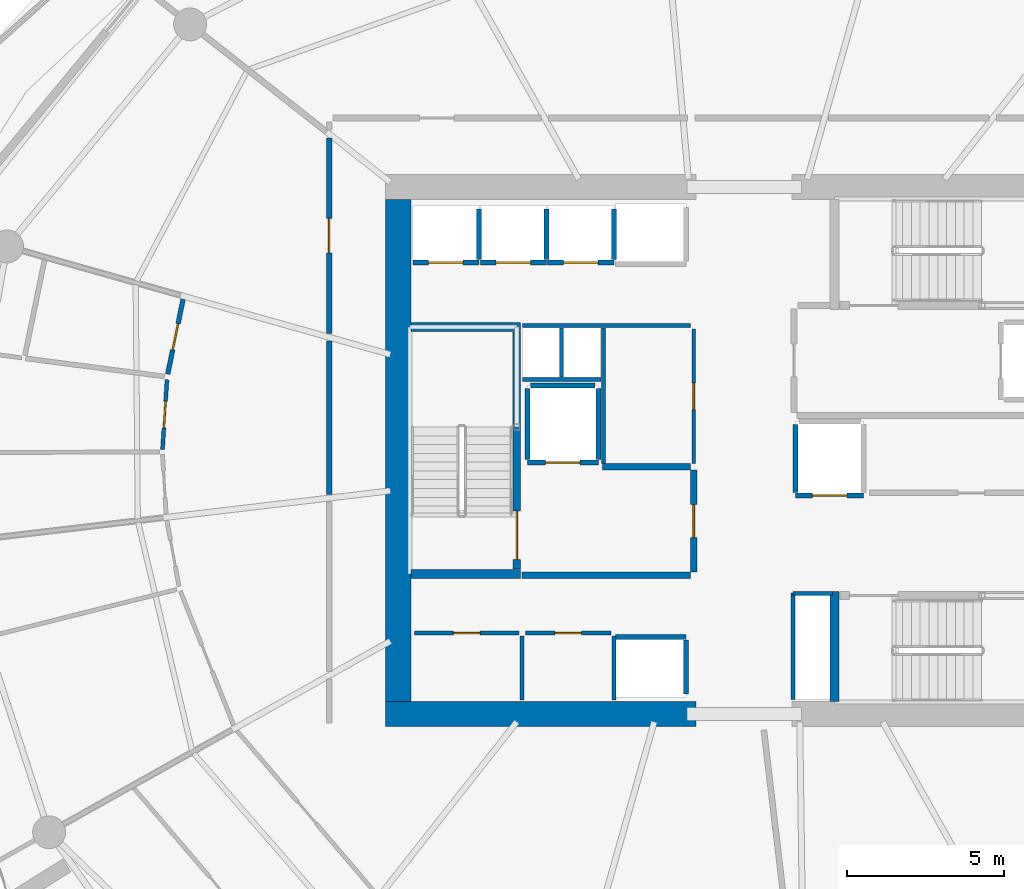
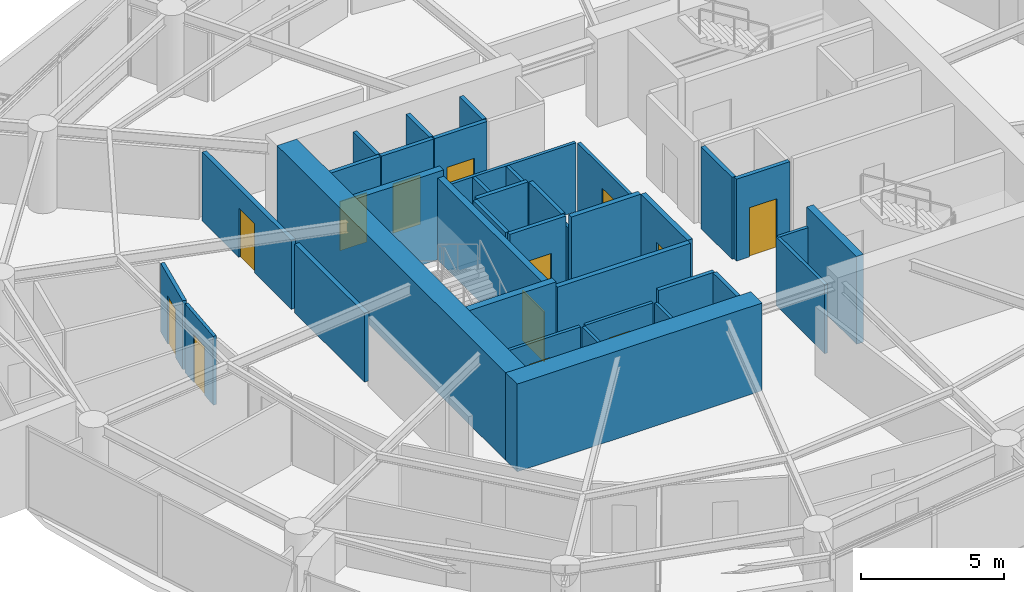
# One storey, part 12 of 20: 38 walls, 13 doors, 13 openings.
"""IFC4 building model written with IfcOpenShell, lengths in metres."""

import ifcopenshell
import ifcopenshell.guid

model = None  # the IFC model being written
_history = None  # IfcOwnerHistory: only IFC2X3 demands one
_inside = {}  # id of a spatial element -> (the spatial element, [elements in it])
_under = {}  # id of a project, library or spatial element -> (it, [spatial elements below it])
_declared = {}  # id of a project -> (the project, [libraries it declares])
_typed = {}  # id of a type object -> (the type object, [elements of that type])
_made_of = {}  # id of a material, layer set ... -> (it, [elements and type objects made of it])


def new_model(schema):
    """Start an empty IFC model of exactly this schema.

    Asked for "IFC4X3", IfcOpenShell would pick the latest addendum, in which some entities
    have other attributes; the version numbers below select the first issue.
    IFC2X3 requires an IfcOwnerHistory on every rooted entity: one is made here for all.
    """
    global model, _history
    if schema == "IFC4X3":
        model = ifcopenshell.file(schema_version=(4, 3, 0, 0))
    else:
        model = ifcopenshell.file(schema=schema)
    _inside.clear()
    _under.clear()
    _declared.clear()
    _typed.clear()
    _made_of.clear()
    _history = None
    if model.schema == "IFC2X3":
        org = make("IfcOrganization", Name="unknown")
        user = make(
            "IfcPersonAndOrganization",
            ThePerson=make("IfcPerson", FamilyName="unknown"),
            TheOrganization=org,
        )
        app = make(
            "IfcApplication",
            ApplicationDeveloper=org,
            Version="unknown",
            ApplicationFullName="unknown",
            ApplicationIdentifier="unknown",
        )
        _history = make(
            "IfcOwnerHistory",
            OwningUser=user,
            OwningApplication=app,
            ChangeAction="ADDED",
            CreationDate=0,
        )
    return model


def make(cls, **values):
    """One entity of the class cls with the attributes given. An attribute that is None is left unset."""
    return model.create_entity(
        cls, **{name: value for name, value in values.items() if value is not None}
    )


def rooted(cls, **values):
    """An entity with a GlobalId (a new one), such as an element, a storey or a relation."""
    return make(cls, GlobalId=ifcopenshell.guid.new(), OwnerHistory=_history, **values)


def si_unit(unit_type, name, prefix=None):
    """IfcSIUnit, for example si_unit("LENGTHUNIT", "METRE", prefix="MILLI")."""
    return make("IfcSIUnit", UnitType=unit_type, Prefix=prefix, Name=name)


def assignment(units):
    """IfcUnitAssignment: the units of a project."""
    return None if units is None else make("IfcUnitAssignment", Units=units)


def point(xyz):
    """IfcCartesianPoint."""
    return None if xyz is None else make("IfcCartesianPoint", Coordinates=xyz)


def direction(xyz):
    """IfcDirection."""
    return None if xyz is None else make("IfcDirection", DirectionRatios=xyz)


def frame(location, z_axis=None, x_axis=None):
    """IfcAxis2Placement3D, a coordinate frame: its origin and axes. An axis left out is left unset."""
    return make(
        "IfcAxis2Placement3D",
        Location=point(location),
        Axis=direction(z_axis),
        RefDirection=direction(x_axis),
    )


def frame_2d(location, x_axis=None):
    """IfcAxis2Placement2D, a coordinate frame in the plane: its origin and x axis."""
    return make(
        "IfcAxis2Placement2D", Location=point(location), RefDirection=direction(x_axis)
    )


def origin():
    """The frame at (0, 0, 0) with its axes left unset."""
    return frame((0.0, 0.0, 0.0))


def place(relative_to, where):
    """IfcLocalPlacement: puts the frame where relative to a parent placement (None: the world)."""
    return make(
        "IfcLocalPlacement", PlacementRelTo=relative_to, RelativePlacement=where
    )


def context(
    kind, dimensions, precision=None, world=None, true_north=None, identifier=None
):
    """IfcGeometricRepresentationContext, for example the 3D "Model" context."""
    return make(
        "IfcGeometricRepresentationContext",
        ContextIdentifier=identifier,
        ContextType=kind,
        CoordinateSpaceDimension=dimensions,
        Precision=precision,
        WorldCoordinateSystem=world,
        TrueNorth=true_north,
    )


def subcontext(parent, identifier, kind, view, scale=None):
    """IfcGeometricRepresentationSubContext, for example "Body" below "Model"."""
    return make(
        "IfcGeometricRepresentationSubContext",
        ContextIdentifier=identifier,
        ContextType=kind,
        ParentContext=parent,
        TargetScale=scale,
        TargetView=view,
    )


def project(units=None, contexts=None):
    """IfcProject with its units and contexts."""
    return rooted(
        "IfcProject",
        Name="project",
        RepresentationContexts=contexts,
        UnitsInContext=assignment(units),
    )


def spatial(cls, under=None, at=None, **own):
    """A site, building, storey or space (cls), placed at a placement, below another one or the project."""
    s = rooted(cls, ObjectPlacement=at, **own)
    if under is not None:
        _under.setdefault(under.id(), (under, []))[1].append(s)
    return s


def profile(cls, at=None, kind="AREA", **sizes):
    """A parametric profile (cls). Its sizes go by their IFC names, for example OverallWidth=200.0."""
    return make(cls, ProfileType=kind, Position=at, **sizes)


def rectangle(**sizes):
    """IfcRectangleProfileDef."""
    return profile("IfcRectangleProfileDef", **sizes)


def extrude(swept, where, along, depth):
    """IfcExtrudedAreaSolid: the profile swept, set in the frame where, extruded along a direction by depth."""
    return make(
        "IfcExtrudedAreaSolid",
        SweptArea=swept,
        Position=where,
        ExtrudedDirection=direction(along),
        Depth=depth,
    )


def shape(context_of_items, identifier, shape_type, items):
    """IfcShapeRepresentation: the items that make up one representation, for example the "Body"."""
    return make(
        "IfcShapeRepresentation",
        ContextOfItems=context_of_items,
        RepresentationIdentifier=identifier,
        RepresentationType=shape_type,
        Items=items,
    )


def material(Name=None, Category=None):
    """IfcMaterial."""
    return make("IfcMaterial", Name=Name, Category=Category)


def layer(
    of_material, thickness, ventilated=None, Name=None, Category=None, Priority=None
):
    """IfcMaterialLayer: one layer of a wall or slab, of a material (None: an air gap)."""
    return make(
        "IfcMaterialLayer",
        Material=of_material,
        LayerThickness=thickness,
        IsVentilated=ventilated,
        Name=Name,
        Category=Category,
        Priority=Priority,
    )


def layer_set(layers, Name=None):
    """IfcMaterialLayerSet."""
    return make("IfcMaterialLayerSet", MaterialLayers=layers, LayerSetName=Name)


def made_of(thing, what):
    """Note that an element or type object is made of a material, layer set ...; save() writes the relation."""
    if what is not None:
        _made_of.setdefault(what.id(), (what, []))[1].append(thing)
    return thing


def type_object(cls, material=None, **own):
    """A type object (cls), such as IfcWallType, which elements share."""
    return made_of(rooted(cls, **own), material)


def element(
    cls,
    number,
    at=None,
    inside=None,
    cuts=None,
    type_object=None,
    material=None,
    context=None,
    identifier="Body",
    shape_type=None,
    held_by="IfcProductDefinitionShape",
    body=None,
    shapes=None,
    **own,
):
    """One element of the class cls, such as IfcWall. Its Tag is "e" and its number.

    at: its placement. inside: the storey or other place that contains it. cuts: it is an
    opening in that element (IfcRelVoidsElement). A single representation is given by context,
    identifier, shape_type and body (its items); several are given by shapes. held_by: the class
    of the entity that holds the representations. save() writes the other relations.
    """
    e = rooted(cls, Tag="e%d" % number, ObjectPlacement=at, **own)
    if body is not None:
        shapes = [shape(context, identifier, shape_type, body)]
    if shapes is not None:
        e.Representation = make(held_by, Representations=shapes)
    if inside is not None:
        _inside.setdefault(inside.id(), (inside, []))[1].append(e)
    if cuts is not None:
        rooted(
            "IfcRelVoidsElement", RelatingBuildingElement=cuts, RelatedOpeningElement=e
        )
    if type_object is not None:
        _typed.setdefault(type_object.id(), (type_object, []))[1].append(e)
    return made_of(e, material)


def fill(opening, filler):
    """IfcRelFillsElement: the door or window that sits in an opening."""
    return rooted(
        "IfcRelFillsElement",
        RelatingOpeningElement=opening,
        RelatedBuildingElement=filler,
    )


def aggregate(whole, parts):
    """IfcRelAggregates: a whole, such as a stair, and the parts it consists of."""
    return rooted("IfcRelAggregates", RelatingObject=whole, RelatedObjects=parts)


def save(model, path):
    """Write the relations noted so far, then the file.

    IfcRelAggregates (storeys below a building ...), IfcRelContainedInSpatialStructure (elements
    in a storey), IfcRelDefinesByType, IfcRelAssociatesMaterial and IfcRelDeclares: one each for
    every whole, place, type object, material and project.
    """
    for whole, parts in _under.values():
        aggregate(whole, parts)
    for where, things in _inside.values():
        rooted(
            "IfcRelContainedInSpatialStructure",
            RelatedElements=things,
            RelatingStructure=where,
        )
    for kind, things in _typed.values():
        rooted("IfcRelDefinesByType", RelatedObjects=things, RelatingType=kind)
    for what, things in _made_of.values():
        rooted("IfcRelAssociatesMaterial", RelatedObjects=things, RelatingMaterial=what)
    for by, libraries in _declared.values():
        rooted("IfcRelDeclares", RelatingContext=by, RelatedDefinitions=libraries)
    model.write(path)


model = new_model("IFC4")

# Units and contexts
model_context = context("Model", 3, precision=1e-05, world=origin(), true_north=direction((0.0, 1.0)))
body_context = subcontext(model_context, "Body", "Model", "MODEL_VIEW")
ifc_project = project(units=[si_unit("LENGTHUNIT", "METRE"), si_unit("AREAUNIT", "SQUARE_METRE"), si_unit("VOLUMEUNIT", "CUBIC_METRE"), si_unit("PLANEANGLEUNIT", "RADIAN"), si_unit("MASSUNIT", "GRAM", prefix="KILO")], contexts=[model_context])

# Site, building, storey
site_placement = place(None, origin())
site = spatial("IfcSite", under=ifc_project, at=site_placement, CompositionType="ELEMENT")
building_placement = place(site_placement, origin())
building = spatial("IfcBuilding", under=site, at=building_placement, Name="Kazma Halo Residences", CompositionType="ELEMENT")
storey_placement = place(building_placement, frame((0.0, 0.0, 150.300048828125)))
storey = spatial("IfcBuildingStorey", under=building, at=storey_placement, Name="L37", CompositionType="ELEMENT", Elevation=150.300048828125)

# Walls
ifc_material_1 = material(Name="Concrete C80/95", Category="concrete")
ifc_layer_1 = layer(ifc_material_1, 0.800048828125)
ifc_layer_set_1 = layer_set([ifc_layer_1], Name="Concrete C80/95")
wall_type_1 = type_object("IfcWallType", Name="WL-CORE-800", PredefinedType="SHEAR", material=ifc_layer_set_1)
wall_1_placement = place(storey_placement, frame((37.0, 33.60009765625, 0.0), z_axis=(0.0, 0.0, 1.0), x_axis=(1.0, 0.0, 0.0)))
element("IfcWall", 1, at=wall_1_placement, inside=storey, type_object=wall_type_1, Name="L37 central core shear wall SW", PredefinedType="SHEAR", context=body_context, shape_type="SweptSolid", body=[
    extrude(rectangle(XDim=9.89990234375, YDim=0.800048828125, at=frame_2d((4.949951171875, 0.0))), origin(), (0.0, 0.0, 1.0), 3.75),
])
wall_2_placement = place(storey_placement, frame((37.39990234375, 34.0, 0.0), z_axis=(0.0, 0.0, 1.0), x_axis=(0.0, 1.0, 0.0)))
element("IfcWall", 2, at=wall_2_placement, inside=storey, type_object=wall_type_1, Name="L37 central core shear wall W", PredefinedType="SHEAR", context=body_context, shape_type="SweptSolid", body=[
    extrude(rectangle(XDim=16.0, YDim=0.800048828125, at=frame_2d((8.0, 0.0))), origin(), (0.0, 0.0, 1.0), 3.75),
])
ifc_material_2 = material(Name="Concrete C60/75", Category="concrete")
ifc_layer_2 = layer(ifc_material_2, 0.280029296875)
ifc_layer_set_2 = layer_set([ifc_layer_2], Name="Concrete C60/75")
wall_type_2 = type_object("IfcWallType", Name="WL-CORE-ST-280", PredefinedType="SHEAR", material=ifc_layer_set_2)
for number, where, z_axis, x_axis, name in (
    (3, (37.800048828125, 38.06005859375, 0.0), (0.0, 0.0, 1.0), (1.0, 0.0, 0.0), "L37 stairwell bearing wall ST01-S"),
    (4, (37.800048828125, 45.93994140625, 0.0), (0.0, 0.0, 1.0), (1.0, 0.0, 0.0), "L37 stairwell bearing wall ST01-N"),
    (5, (51.31005859375, 34.0, 0.0), (0.0, 0.0, 1.0), (0.0, 1.0, 0.0), "L37 stairwell bearing wall ST03-W"),
):
    element("IfcWall", number, at=place(storey_placement, frame(where, z_axis=z_axis, x_axis=x_axis)), inside=storey, type_object=wall_type_2, Name=name, PredefinedType="SHEAR", context=body_context, shape_type="SweptSolid", body=[
        extrude(rectangle(XDim=3.5, YDim=0.280029296875, at=frame_2d((1.75, 0.0))), origin(), (0.0, 0.0, 1.0), 3.75),
    ])

# Wall, opening, door
ifc_material_3 = material(Name="Acoustic Twin-Stud Gypsum")
ifc_layer_3 = layer(ifc_material_3, 0.179931640625)
ifc_layer_set_3 = layer_set([ifc_layer_3], Name="Acoustic Twin-Stud Gypsum")
wall_type_3 = type_object("IfcWallType", Name="WL-DEM-180", PredefinedType="PARTITIONING", material=ifc_layer_set_3)
wall_3_placement = place(storey_placement, frame((35.199951171875, 51.970703125, 0.0), z_axis=(0.0, 0.0, 1.0), x_axis=(0.0, -1.0, 0.0)))
wall_3 = element("IfcWall", 6, at=wall_3_placement, inside=storey, type_object=wall_type_3, Name="L37 Apartment 1 entrance corridor wall", PredefinedType="PARTITIONING", context=body_context, shape_type="SweptSolid", body=[
    extrude(rectangle(XDim=6.24072265625, YDim=0.179931640625, at=frame_2d((3.120361328125, 0.0))), origin(), (0.0, 0.0, 1.0), 2.93994140625),
])
opening_1_placement = place(wall_3_placement, frame((2.5703125, 0.0, 0.0)))
opening_1 = element("IfcOpeningElement", 7, at=opening_1_placement, cuts=wall_3, Name="Opening DA-1100", PredefinedType="OPENING", context=body_context, shape_type="SweptSolid", body=[
    extrude(rectangle(XDim=1.10009765625, YDim=2.10009765625, at=frame_2d((0.550048828125, 1.050048828125))), frame((0.0, 0.099853515625, 0.0), z_axis=(0.0, -1.0, 0.0), x_axis=(1.0, 0.0, 0.0)), (0.0, 0.0, 1.0), 0.199951171875),
])
ifc_material_4 = material(Name="Acoustic Walnut Fire Leaf")
door_type_1 = type_object("IfcDoorType", Name="DR-FD60-1100", OperationType="NOTDEFINED", PredefinedType="DOOR", material=ifc_material_4)
door_1_placement = place(opening_1_placement, origin())
door_1 = element("IfcDoor", 8, at=door_1_placement, inside=storey, type_object=door_type_1, Name="L37 Apartment 1 entrance fire door", OperationType="SINGLE_SWING_LEFT", OverallHeight=2.10009765625, OverallWidth=1.10009765625, PredefinedType="DOOR", context=body_context, shape_type="SweptSolid", body=[
    extrude(rectangle(XDim=1.10009765625, YDim=2.10009765625, at=frame_2d((0.550048828125, 1.050048828125))), frame((0.0, 0.02490234375, 0.0), z_axis=(0.0, -1.0, 0.0), x_axis=(1.0, 0.0, 0.0)), (0.0, 0.0, 1.0), 0.050048828125),
])
fill(opening_1, door_1)

# Wall
wall_4_placement = place(storey_placement, frame((35.199951171875, 45.489990234375, 0.0), z_axis=(0.0, 0.0, 1.0), x_axis=(0.0, -1.0, 0.0)))
element("IfcWall", 9, at=wall_4_placement, inside=storey, type_object=wall_type_3, Name="L37 Apartment 1 inner wall 6", PredefinedType="PARTITIONING", context=body_context, shape_type="SweptSolid", body=[
    extrude(rectangle(XDim=4.885009765625, YDim=0.179931640625, at=frame_2d((2.4423828125, 0.0))), origin(), (0.0, 0.0, 1.0), 2.93994140625),
])

# Wall, opening, door
ifc_material_5 = material(Name="Fire-Rated Blockwork Masonry", Category="masonry")
ifc_layer_4 = layer(ifc_material_5, 0.199951171875)
ifc_layer_set_4 = layer_set([ifc_layer_4], Name="Fire-Rated Blockwork Masonry")
wall_type_4 = type_object("IfcWallType", Name="WL-FLB-200", PredefinedType="PARTITIONING", material=ifc_layer_set_4)
wall_5_placement = place(storey_placement, frame((39.97509765625, 47.9951171875, 0.0), z_axis=(0.0, 0.0, 1.0), x_axis=(-1.0, 0.0, 0.0)))
wall_5 = element("IfcWall", 10, at=wall_5_placement, inside=storey, type_object=wall_type_4, Name="L37 lift shaft PM-01 front wall", PredefinedType="PARTITIONING", context=body_context, shape_type="SweptSolid", body=[
    extrude(rectangle(XDim=2.110107421875, YDim=0.159912109375, at=frame_2d((1.05517578125, 0.0))), origin(), (0.0, 0.0, 1.0), 3.5),
])
opening_2_placement = place(wall_5_placement, frame((0.5048828125, 0.0, 0.0)))
opening_2 = element("IfcOpeningElement", 11, at=opening_2_placement, cuts=wall_5, Name="Opening LD-PM-01", PredefinedType="OPENING", context=body_context, shape_type="SweptSolid", body=[
    extrude(rectangle(XDim=1.10009765625, YDim=2.10009765625, at=frame_2d((0.550048828125, 1.050048828125))), frame((0.0, 0.08984375, 0.0), z_axis=(0.0, -1.0, 0.0), x_axis=(1.0, 0.0, 0.0)), (0.0, 0.0, 1.0), 0.179931640625),
])
ifc_material_6 = material(Name="Stainless Steel Fire-Rated", Category="steel")
door_type_2 = type_object("IfcDoorType", Name="DR-LIFT-SLD-1100", OperationType="DOUBLE_DOOR_SLIDING", PredefinedType="DOOR", material=ifc_material_6)
door_2_placement = place(opening_2_placement, origin())
door_2 = element("IfcDoor", 12, at=door_2_placement, inside=storey, type_object=door_type_2, Name="L37 lift PM-01 sliding landing door", OperationType="DOUBLE_DOOR_SLIDING", OverallHeight=2.10009765625, OverallWidth=1.10009765625, PredefinedType="DOOR", context=body_context, shape_type="SweptSolid", body=[
    extrude(rectangle(XDim=1.10009765625, YDim=2.10009765625, at=frame_2d((0.550048828125, 1.050048828125))), frame((0.0, 0.02490234375, 0.0), z_axis=(0.0, -1.0, 0.0), x_axis=(1.0, 0.0, 0.0)), (0.0, 0.0, 1.0), 0.050048828125),
])
fill(opening_2, door_2)

# Wall
wall_6_placement = place(storey_placement, frame((39.97509765625, 48.094970703125, 0.0), z_axis=(0.0, 0.0, 1.0), x_axis=(0.0, 1.0, 0.0)))
element("IfcWall", 13, at=wall_6_placement, inside=storey, type_object=wall_type_4, Name="L37 lift shaft PM-01 side wall E", PredefinedType="PARTITIONING", context=body_context, shape_type="SweptSolid", body=[
    extrude(rectangle(XDim=1.610107421875, YDim=0.159912109375, at=frame_2d((0.80517578125, 0.0))), origin(), (0.0, 0.0, 1.0), 3.5),
])

# Wall, opening, door
wall_7_placement = place(storey_placement, frame((42.125, 47.9951171875, 0.0), z_axis=(0.0, 0.0, 1.0), x_axis=(-1.0, 0.0, 0.0)))
wall_7 = element("IfcWall", 14, at=wall_7_placement, inside=storey, type_object=wall_type_4, Name="L37 lift shaft PM-02 front wall", PredefinedType="PARTITIONING", context=body_context, shape_type="SweptSolid", body=[
    extrude(rectangle(XDim=2.110107421875, YDim=0.159912109375, at=frame_2d((1.05517578125, 0.0))), origin(), (0.0, 0.0, 1.0), 3.5),
])
opening_3_placement = place(wall_7_placement, frame((0.5048828125, 0.0, 0.0)))
opening_3 = element("IfcOpeningElement", 15, at=opening_3_placement, cuts=wall_7, Name="Opening LD-PM-02", PredefinedType="OPENING", context=body_context, shape_type="SweptSolid", body=[
    extrude(rectangle(XDim=1.10009765625, YDim=2.10009765625, at=frame_2d((0.550048828125, 1.050048828125))), frame((0.0, 0.08984375, 0.0), z_axis=(0.0, -1.0, 0.0), x_axis=(1.0, 0.0, 0.0)), (0.0, 0.0, 1.0), 0.179931640625),
])
door_3_placement = place(opening_3_placement, origin())
door_3 = element("IfcDoor", 16, at=door_3_placement, inside=storey, type_object=door_type_2, Name="L37 lift PM-02 sliding landing door", OperationType="DOUBLE_DOOR_SLIDING", OverallHeight=2.10009765625, OverallWidth=1.10009765625, PredefinedType="DOOR", context=body_context, shape_type="SweptSolid", body=[
    extrude(rectangle(XDim=1.10009765625, YDim=2.10009765625, at=frame_2d((0.550048828125, 1.050048828125))), frame((0.0, 0.02490234375, 0.0), z_axis=(0.0, -1.0, 0.0), x_axis=(1.0, 0.0, 0.0)), (0.0, 0.0, 1.0), 0.050048828125),
])
fill(opening_3, door_3)

# Wall
wall_8_placement = place(storey_placement, frame((42.125, 48.094970703125, 0.0), z_axis=(0.0, 0.0, 1.0), x_axis=(0.0, 1.0, 0.0)))
element("IfcWall", 17, at=wall_8_placement, inside=storey, type_object=wall_type_4, Name="L37 lift shaft PM-02 side wall E", PredefinedType="PARTITIONING", context=body_context, shape_type="SweptSolid", body=[
    extrude(rectangle(XDim=1.610107421875, YDim=0.159912109375, at=frame_2d((0.80517578125, 0.0))), origin(), (0.0, 0.0, 1.0), 3.5),
])

# Wall, opening, door
wall_9_placement = place(storey_placement, frame((44.27490234375, 47.9951171875, 0.0), z_axis=(0.0, 0.0, 1.0), x_axis=(-1.0, 0.0, 0.0)))
wall_9 = element("IfcWall", 18, at=wall_9_placement, inside=storey, type_object=wall_type_4, Name="L37 lift shaft PM-03 front wall", PredefinedType="PARTITIONING", context=body_context, shape_type="SweptSolid", body=[
    extrude(rectangle(XDim=2.10986328125, YDim=0.159912109375, at=frame_2d((1.054931640625, 0.0))), origin(), (0.0, 0.0, 1.0), 3.5),
])
opening_4_placement = place(wall_9_placement, frame((0.5048828125, 0.0, 0.0)))
opening_4 = element("IfcOpeningElement", 19, at=opening_4_placement, cuts=wall_9, Name="Opening LD-PM-03", PredefinedType="OPENING", context=body_context, shape_type="SweptSolid", body=[
    extrude(rectangle(XDim=1.10009765625, YDim=2.10009765625, at=frame_2d((0.550048828125, 1.050048828125))), frame((0.0, 0.08984375, 0.0), z_axis=(0.0, -1.0, 0.0), x_axis=(1.0, 0.0, 0.0)), (0.0, 0.0, 1.0), 0.179931640625),
])
door_4_placement = place(opening_4_placement, origin())
door_4 = element("IfcDoor", 20, at=door_4_placement, inside=storey, type_object=door_type_2, Name="L37 lift PM-03 sliding landing door", OperationType="DOUBLE_DOOR_SLIDING", OverallHeight=2.10009765625, OverallWidth=1.10009765625, PredefinedType="DOOR", context=body_context, shape_type="SweptSolid", body=[
    extrude(rectangle(XDim=1.10009765625, YDim=2.10009765625, at=frame_2d((0.550048828125, 1.050048828125))), frame((0.0, 0.02490234375, 0.0), z_axis=(0.0, -1.0, 0.0), x_axis=(1.0, 0.0, 0.0)), (0.0, 0.0, 1.0), 0.050048828125),
])
fill(opening_4, door_4)

# Walls
wall_10_placement = place(storey_placement, frame((44.27490234375, 48.094970703125, 0.0), z_axis=(0.0, 0.0, 1.0), x_axis=(0.0, 1.0, 0.0)))
element("IfcWall", 21, at=wall_10_placement, inside=storey, type_object=wall_type_4, Name="L37 lift shaft PM-03 side wall E", PredefinedType="PARTITIONING", context=body_context, shape_type="SweptSolid", body=[
    extrude(rectangle(XDim=1.610107421875, YDim=0.159912109375, at=frame_2d((0.80517578125, 0.0))), origin(), (0.0, 0.0, 1.0), 3.5),
])
wall_11_placement = place(storey_placement, frame((44.320068359375, 36.054931640625, 0.0), z_axis=(0.0, 0.0, 1.0), x_axis=(1.0, 0.0, 0.0)))
element("IfcWall", 22, at=wall_11_placement, inside=storey, type_object=wall_type_4, Name="L37 lift shaft PX-02 front wall", PredefinedType="PARTITIONING", context=body_context, shape_type="SweptSolid", body=[
    extrude(rectangle(XDim=2.260009765625, YDim=0.159912109375, at=frame_2d((1.1298828125, 0.0))), origin(), (0.0, 0.0, 1.0), 3.5),
])
wall_12_placement = place(storey_placement, frame((46.580078125, 34.2451171875, 0.0), z_axis=(0.0, 0.0, 1.0), x_axis=(0.0, 1.0, 0.0)))
element("IfcWall", 23, at=wall_12_placement, inside=storey, type_object=wall_type_4, Name="L37 lift shaft PX-02 side wall E", PredefinedType="PARTITIONING", context=body_context, shape_type="SweptSolid", body=[
    extrude(rectangle(XDim=1.7099609375, YDim=0.159912109375, at=frame_2d((0.85498046875, 0.0))), origin(), (0.0, 0.0, 1.0), 3.5),
])

# Wall, opening, door
wall_13_placement = place(storey_placement, frame((43.780029296875, 41.6201171875, 0.0), z_axis=(0.0, 0.0, 1.0), x_axis=(-1.0, 0.0, 0.0)))
wall_13 = element("IfcWall", 24, at=wall_13_placement, inside=storey, type_object=wall_type_4, Name="L37 lift shaft FL-01 front wall", PredefinedType="PARTITIONING", context=body_context, shape_type="SweptSolid", body=[
    extrude(rectangle(XDim=2.260009765625, YDim=0.159912109375, at=frame_2d((1.1298828125, 0.0))), origin(), (0.0, 0.0, 1.0), 3.5),
])
opening_5_placement = place(wall_13_placement, frame((0.580078125, 0.0, 0.0)))
opening_5 = element("IfcOpeningElement", 25, at=opening_5_placement, cuts=wall_13, Name="Opening LD-FL-01", PredefinedType="OPENING", context=body_context, shape_type="SweptSolid", body=[
    extrude(rectangle(XDim=1.10009765625, YDim=2.10009765625, at=frame_2d((0.550048828125, 1.050048828125))), frame((0.0, 0.08984375, 0.0), z_axis=(0.0, -1.0, 0.0), x_axis=(1.0, 0.0, 0.0)), (0.0, 0.0, 1.0), 0.179931640625),
])
door_5_placement = place(opening_5_placement, origin())
door_5 = element("IfcDoor", 26, at=door_5_placement, inside=storey, type_object=door_type_2, Name="L37 lift FL-01 sliding landing door", OperationType="DOUBLE_DOOR_SLIDING", OverallHeight=2.10009765625, OverallWidth=1.10009765625, PredefinedType="DOOR", context=body_context, shape_type="SweptSolid", body=[
    extrude(rectangle(XDim=1.10009765625, YDim=2.10009765625, at=frame_2d((0.550048828125, 1.050048828125))), frame((0.0, 0.02490234375, 0.0), z_axis=(0.0, -1.0, 0.0), x_axis=(1.0, 0.0, 0.0)), (0.0, 0.0, 1.0), 0.050048828125),
])
fill(opening_5, door_5)

# Walls
for number, where, z_axis, x_axis, name in (
    (27, (43.780029296875, 41.719970703125, 0.0), (0.0, 0.0, 1.0), (0.0, 1.0, 0.0), "L37 lift shaft FL-01 side wall E"),
    (28, (41.52001953125, 41.719970703125, 0.0), (0.0, 0.0, 1.0), (0.0, 1.0, 0.0), "L37 lift shaft FL-01 side wall W"),
):
    element("IfcWall", number, at=place(storey_placement, frame(where, z_axis=z_axis, x_axis=x_axis)), inside=storey, type_object=wall_type_4, Name=name, PredefinedType="PARTITIONING", context=body_context, shape_type="SweptSolid", body=[
        extrude(rectangle(XDim=2.260009765625, YDim=0.159912109375, at=frame_2d((1.1298828125, 0.0))), origin(), (0.0, 0.0, 1.0), 3.5),
    ])
wall_14_placement = place(storey_placement, frame((41.6201171875, 44.080078125, 0.0), z_axis=(0.0, 0.0, 1.0), x_axis=(1.0, 0.0, 0.0)))
element("IfcWall", 29, at=wall_14_placement, inside=storey, type_object=wall_type_4, Name="L37 lift shaft FL-01 side wall N", PredefinedType="PARTITIONING", context=body_context, shape_type="SweptSolid", body=[
    extrude(rectangle(XDim=2.059814453125, YDim=0.159912109375, at=frame_2d((1.02978515625, 0.0))), origin(), (0.0, 0.0, 1.0), 3.5),
])

# Wall, opening, door
wall_15_placement = place(storey_placement, frame((52.22998046875, 40.570068359375, 0.0), z_axis=(0.0, 0.0, 1.0), x_axis=(-1.0, 0.0, 0.0)))
wall_15 = element("IfcWall", 30, at=wall_15_placement, inside=storey, type_object=wall_type_4, Name="L37 lift shaft SV-01 front wall", PredefinedType="PARTITIONING", context=body_context, shape_type="SweptSolid", body=[
    extrude(rectangle(XDim=2.159912109375, YDim=0.159912109375, at=frame_2d((1.080078125, 0.0))), origin(), (0.0, 0.0, 1.0), 3.5),
])
opening_6_placement = place(wall_15_placement, frame((0.530029296875, 0.0, 0.0)))
opening_6 = element("IfcOpeningElement", 31, at=opening_6_placement, cuts=wall_15, Name="Opening LD-SV-01", PredefinedType="OPENING", context=body_context, shape_type="SweptSolid", body=[
    extrude(rectangle(XDim=1.10009765625, YDim=2.10009765625, at=frame_2d((0.550048828125, 1.050048828125))), frame((0.0, 0.08984375, 0.0), z_axis=(0.0, -1.0, 0.0), x_axis=(1.0, 0.0, 0.0)), (0.0, 0.0, 1.0), 0.179931640625),
])
door_6_placement = place(opening_6_placement, origin())
door_6 = element("IfcDoor", 32, at=door_6_placement, inside=storey, type_object=door_type_2, Name="L37 lift SV-01 sliding landing door", OperationType="DOUBLE_DOOR_SLIDING", OverallHeight=2.10009765625, OverallWidth=1.10009765625, PredefinedType="DOOR", context=body_context, shape_type="SweptSolid", body=[
    extrude(rectangle(XDim=1.10009765625, YDim=2.10009765625, at=frame_2d((0.550048828125, 1.050048828125))), frame((0.0, 0.02490234375, 0.0), z_axis=(0.0, -1.0, 0.0), x_axis=(1.0, 0.0, 0.0)), (0.0, 0.0, 1.0), 0.050048828125),
])
fill(opening_6, door_6)

# Walls
wall_16_placement = place(storey_placement, frame((50.070068359375, 40.669921875, 0.0), z_axis=(0.0, 0.0, 1.0), x_axis=(0.0, 1.0, 0.0)))
element("IfcWall", 33, at=wall_16_placement, inside=storey, type_object=wall_type_4, Name="L37 lift shaft SV-01 side wall W", PredefinedType="PARTITIONING", context=body_context, shape_type="SweptSolid", body=[
    extrude(rectangle(XDim=2.16015625, YDim=0.159912109375, at=frame_2d((1.080078125, 0.0))), origin(), (0.0, 0.0, 1.0), 3.5),
])
wall_17_placement = place(storey_placement, frame((41.35009765625, 38.02001953125, 0.0), z_axis=(0.0, 0.0, 1.0), x_axis=(1.0, 0.0, 0.0)))
element("IfcWall", 34, at=wall_17_placement, inside=storey, type_object=wall_type_4, Name="L37 west firefighting lobby south smoke wall", PredefinedType="PARTITIONING", context=body_context, shape_type="SweptSolid", body=[
    extrude(rectangle(XDim=5.369873046875, YDim=0.199951171875, at=frame_2d((2.68505859375, 0.0))), origin(), (0.0, 0.0, 1.0), 3.5),
])
wall_18_placement = place(storey_placement, frame((43.919921875, 41.47998046875, 0.0), z_axis=(0.0, 0.0, 1.0), x_axis=(1.0, 0.0, 0.0)))
element("IfcWall", 35, at=wall_18_placement, inside=storey, type_object=wall_type_4, Name="L37 west firefighting lobby north smoke wall", PredefinedType="PARTITIONING", context=body_context, shape_type="SweptSolid", body=[
    extrude(rectangle(XDim=2.800048828125, YDim=0.199951171875, at=frame_2d((1.39990234375, 0.0))), origin(), (0.0, 0.0, 1.0), 3.5),
])

# Wall, opening, door
wall_19_placement = place(storey_placement, frame((46.820068359375, 38.1201171875, 0.0), z_axis=(0.0, 0.0, 1.0), x_axis=(0.0, 1.0, 0.0)))
wall_19 = element("IfcWall", 36, at=wall_19_placement, inside=storey, type_object=wall_type_4, Name="L37 west firefighting lobby smoke wall", PredefinedType="PARTITIONING", context=body_context, shape_type="SweptSolid", body=[
    extrude(rectangle(XDim=3.259765625, YDim=0.199951171875, at=frame_2d((1.6298828125, 0.0))), origin(), (0.0, 0.0, 1.0), 3.5),
])
opening_7_placement = place(wall_19_placement, frame((1.10498046875, 0.0, 0.0)))
opening_7 = element("IfcOpeningElement", 37, at=opening_7_placement, cuts=wall_19, Name="Opening D-FLW", PredefinedType="OPENING", context=body_context, shape_type="SweptSolid", body=[
    extrude(rectangle(XDim=1.050048828125, YDim=2.10009765625, at=frame_2d((0.52490234375, 1.050048828125))), frame((0.0, 0.10986328125, 0.0), z_axis=(0.0, -1.0, 0.0), x_axis=(1.0, 0.0, 0.0)), (0.0, 0.0, 1.0), 0.219970703125),
])
ifc_material_7 = material(Name="Fire-Rated Steel Leaf", Category="steel")
door_type_3 = type_object("IfcDoorType", Name="DR-FD90-1050", OperationType="NOTDEFINED", PredefinedType="DOOR", material=ifc_material_7)
door_7_placement = place(opening_7_placement, origin())
door_7 = element("IfcDoor", 38, at=door_7_placement, inside=storey, type_object=door_type_3, Name="L37 west firefighting lobby smoke door", OperationType="SINGLE_SWING_RIGHT", OverallHeight=2.10009765625, OverallWidth=1.050048828125, PredefinedType="DOOR", context=body_context, shape_type="SweptSolid", body=[
    extrude(rectangle(XDim=1.050048828125, YDim=2.10009765625, at=frame_2d((0.52490234375, 1.050048828125))), frame((0.0, 0.02490234375, 0.0), z_axis=(0.0, -1.0, 0.0), x_axis=(1.0, 0.0, 0.0)), (0.0, 0.0, 1.0), 0.050048828125),
])
fill(opening_7, door_7)

# Walls
ifc_material_8 = material(Name="Gypsum Plasterboard Partition")
ifc_layer_5 = layer(ifc_material_8, 0.125)
ifc_layer_set_5 = layer_set([ifc_layer_5], Name="Gypsum Plasterboard Partition")
wall_type_5 = type_object("IfcWallType", Name="WL-PART-125", PredefinedType="PARTITIONING", material=ifc_layer_set_5)
for number, where, z_axis, x_axis, name in (
    (39, (44.280029296875, 34.050048828125, 0.0), (0.0, 0.0, 1.0), (0.0, 1.0, 0.0), "L37 reclaimed south east wall"),
    (40, (41.35009765625, 34.050048828125, 0.0), (0.0, 0.0, 1.0), (0.0, 1.0, 0.0), "L37 reclaimed south divider wall"),
):
    element("IfcWall", number, at=place(storey_placement, frame(where, z_axis=z_axis, x_axis=x_axis)), inside=storey, type_object=wall_type_5, Name=name, PredefinedType="PARTITIONING", context=body_context, shape_type="SweptSolid", body=[
        extrude(rectangle(XDim=2.030029296875, YDim=0.125, at=frame_2d((1.01513671875, 0.0))), origin(), (0.0, 0.0, 1.0), 2.93994140625),
    ])

# Wall, opening, door
wall_20_placement = place(storey_placement, frame((37.919921875, 36.179931640625, 0.0), z_axis=(0.0, 0.0, 1.0), x_axis=(1.0, 0.0, 0.0)))
wall_20 = element("IfcWall", 41, at=wall_20_placement, inside=storey, type_object=wall_type_5, Name="L37 reclaimed south W front wall", PredefinedType="PARTITIONING", context=body_context, shape_type="SweptSolid", body=[
    extrude(rectangle(XDim=3.330078125, YDim=0.125, at=frame_2d((1.6650390625, 0.0))), origin(), (0.0, 0.0, 1.0), 2.93994140625),
])
opening_8_placement = place(wall_20_placement, frame((1.239990234375, 0.0, 0.0)))
opening_8 = element("IfcOpeningElement", 42, at=opening_8_placement, cuts=wall_20, Name="Opening DS-850", PredefinedType="OPENING", context=body_context, shape_type="SweptSolid", body=[
    extrude(rectangle(XDim=0.85009765625, YDim=2.06005859375, at=frame_2d((0.425048828125, 1.030029296875))), frame((0.0, 0.072509765625, 0.0), z_axis=(0.0, -1.0, 0.0), x_axis=(1.0, 0.0, 0.0)), (0.0, 0.0, 1.0), 0.14501953125),
])
ifc_material_9 = material(Name="Painted Steel Access Leaf", Category="steel")
door_type_4 = type_object("IfcDoorType", Name="DR-SVC-850", OperationType="NOTDEFINED", PredefinedType="DOOR", material=ifc_material_9)
door_8_placement = place(opening_8_placement, origin())
door_8 = element("IfcDoor", 43, at=door_8_placement, inside=storey, type_object=door_type_4, Name="L37 reclaimed south W door", OperationType="SINGLE_SWING_RIGHT", OverallHeight=2.06005859375, OverallWidth=0.85009765625, PredefinedType="DOOR", context=body_context, shape_type="SweptSolid", body=[
    extrude(rectangle(XDim=0.85009765625, YDim=2.06005859375, at=frame_2d((0.425048828125, 1.030029296875))), frame((0.0, 0.02490234375, 0.0), z_axis=(0.0, -1.0, 0.0), x_axis=(1.0, 0.0, 0.0)), (0.0, 0.0, 1.0), 0.050048828125),
])
fill(opening_8, door_8)

wall_21_placement = place(storey_placement, frame((41.449951171875, 36.179931640625, 0.0), z_axis=(0.0, 0.0, 1.0), x_axis=(1.0, 0.0, 0.0)))
wall_21 = element("IfcWall", 44, at=wall_21_placement, inside=storey, type_object=wall_type_5, Name="L37 reclaimed south E front wall", PredefinedType="PARTITIONING", context=body_context, shape_type="SweptSolid", body=[
    extrude(rectangle(XDim=2.72998046875, YDim=0.125, at=frame_2d((1.364990234375, 0.0))), origin(), (0.0, 0.0, 1.0), 2.93994140625),
])
opening_9_placement = place(wall_21_placement, frame((0.93994140625, 0.0, 0.0)))
opening_9 = element("IfcOpeningElement", 45, at=opening_9_placement, cuts=wall_21, Name="Opening DS-850", PredefinedType="OPENING", context=body_context, shape_type="SweptSolid", body=[
    extrude(rectangle(XDim=0.85009765625, YDim=2.06005859375, at=frame_2d((0.425048828125, 1.030029296875))), frame((0.0, 0.072509765625, 0.0), z_axis=(0.0, -1.0, 0.0), x_axis=(1.0, 0.0, 0.0)), (0.0, 0.0, 1.0), 0.14501953125),
])
door_9_placement = place(opening_9_placement, origin())
door_9 = element("IfcDoor", 46, at=door_9_placement, inside=storey, type_object=door_type_4, Name="L37 reclaimed south E door", OperationType="SINGLE_SWING_LEFT", OverallHeight=2.06005859375, OverallWidth=0.85009765625, PredefinedType="DOOR", context=body_context, shape_type="SweptSolid", body=[
    extrude(rectangle(XDim=0.85009765625, YDim=2.06005859375, at=frame_2d((0.425048828125, 1.030029296875))), frame((0.0, 0.02490234375, 0.0), z_axis=(0.0, -1.0, 0.0), x_axis=(1.0, 0.0, 0.0)), (0.0, 0.0, 1.0), 0.050048828125),
])
fill(opening_9, door_9)

# Walls
wall_22_placement = place(storey_placement, frame((41.360107421875, 45.97998046875, 0.0), z_axis=(0.0, 0.0, 1.0), x_axis=(1.0, 0.0, 0.0)))
element("IfcWall", 47, at=wall_22_placement, inside=storey, type_object=wall_type_5, Name="L37 core north riser wall", PredefinedType="PARTITIONING", context=body_context, shape_type="SweptSolid", body=[
    extrude(rectangle(XDim=5.35986328125, YDim=0.125, at=frame_2d((2.679931640625, 0.0))), origin(), (0.0, 0.0, 1.0), 2.93994140625),
])
wall_23_placement = place(storey_placement, frame((41.360107421875, 44.260009765625, 0.0), z_axis=(0.0, 0.0, 1.0), x_axis=(1.0, 0.0, 0.0)))
element("IfcWall", 48, at=wall_23_placement, inside=storey, type_object=wall_type_5, Name="L37 core riser south wall", PredefinedType="PARTITIONING", context=body_context, shape_type="SweptSolid", body=[
    extrude(rectangle(XDim=2.5, YDim=0.125, at=frame_2d((1.25, 0.0))), origin(), (0.0, 0.0, 1.0), 2.93994140625),
])
wall_24_placement = place(storey_placement, frame((42.60009765625, 44.35009765625, 0.0), z_axis=(0.0, 0.0, 1.0), x_axis=(0.0, 1.0, 0.0)))
element("IfcWall", 49, at=wall_24_placement, inside=storey, type_object=wall_type_5, Name="L37 core riser divider wall", PredefinedType="PARTITIONING", context=body_context, shape_type="SweptSolid", body=[
    extrude(rectangle(XDim=1.5498046875, YDim=0.125, at=frame_2d((0.77490234375, 0.0))), origin(), (0.0, 0.0, 1.0), 2.93994140625),
])
wall_25_placement = place(storey_placement, frame((49.97998046875, 34.06005859375, 0.0), z_axis=(0.0, 0.0, 1.0), x_axis=(0.0, 1.0, 0.0)))
element("IfcWall", 50, at=wall_25_placement, inside=storey, type_object=wall_type_5, Name="L37 standpipe riser wall", PredefinedType="PARTITIONING", context=body_context, shape_type="SweptSolid", body=[
    extrude(rectangle(XDim=3.39990234375, YDim=0.125, at=frame_2d((1.699951171875, 0.0))), origin(), (0.0, 0.0, 1.0), 2.93994140625),
])
wall_26_placement = place(storey_placement, frame((49.97998046875, 37.43994140625, 0.0), z_axis=(0.0, 0.0, 1.0), x_axis=(1.0, 0.0, 0.0)))
element("IfcWall", 51, at=wall_26_placement, inside=storey, type_object=wall_type_5, Name="L37 standpipe riser north wall", PredefinedType="PARTITIONING", context=body_context, shape_type="SweptSolid", body=[
    extrude(rectangle(XDim=1.260009765625, YDim=0.125, at=frame_2d((0.6298828125, 0.0))), origin(), (0.0, 0.0, 1.0), 2.93994140625),
])
wall_27_placement = place(storey_placement, frame((43.949951171875, 41.580078125, 0.0), z_axis=(0.0, 0.0, 1.0), x_axis=(0.0, 1.0, 0.0)))
element("IfcWall", 52, at=wall_27_placement, inside=storey, type_object=wall_type_5, Name="L37 core service west wall", PredefinedType="PARTITIONING", context=body_context, shape_type="SweptSolid", body=[
    extrude(rectangle(XDim=4.31982421875, YDim=0.125, at=frame_2d((2.159912109375, 0.0))), origin(), (0.0, 0.0, 1.0), 2.93994140625),
])

# Wall, opening, door
wall_28_placement = place(storey_placement, frame((46.820068359375, 41.580078125, 0.0), z_axis=(0.0, 0.0, 1.0), x_axis=(0.0, 1.0, 0.0)))
wall_28 = element("IfcWall", 53, at=wall_28_placement, inside=storey, type_object=wall_type_5, Name="L37 core service room east wall", PredefinedType="PARTITIONING", context=body_context, shape_type="SweptSolid", body=[
    extrude(rectangle(XDim=4.2998046875, YDim=0.125, at=frame_2d((2.14990234375, 0.0))), origin(), (0.0, 0.0, 1.0), 2.93994140625),
])
opening_10_placement = place(wall_28_placement, frame((1.72509765625, 0.0, 0.0)))
opening_10 = element("IfcOpeningElement", 54, at=opening_10_placement, cuts=wall_28, Name="Opening DS-850", PredefinedType="OPENING", context=body_context, shape_type="SweptSolid", body=[
    extrude(rectangle(XDim=0.85009765625, YDim=2.06005859375, at=frame_2d((0.425048828125, 1.030029296875))), frame((0.0, 0.072509765625, 0.0), z_axis=(0.0, -1.0, 0.0), x_axis=(1.0, 0.0, 0.0)), (0.0, 0.0, 1.0), 0.14501953125),
])
door_10_placement = place(opening_10_placement, origin())
door_10 = element("IfcDoor", 55, at=door_10_placement, inside=storey, type_object=door_type_4, Name="L37 core service room door", OperationType="SINGLE_SWING_RIGHT", OverallHeight=2.06005859375, OverallWidth=0.85009765625, PredefinedType="DOOR", context=body_context, shape_type="SweptSolid", body=[
    extrude(rectangle(XDim=0.85009765625, YDim=2.06005859375, at=frame_2d((0.425048828125, 1.030029296875))), frame((0.0, 0.02490234375, 0.0), z_axis=(0.0, -1.0, 0.0), x_axis=(1.0, 0.0, 0.0)), (0.0, 0.0, 1.0), 0.050048828125),
])
fill(opening_10, door_10)

wall_29_placement = place(storey_placement, frame((30.0283203125, 44.2587890625, 0.0), z_axis=(0.0, 0.0, 1.0), x_axis=(-0.063707112834, -0.997968638673, 0.0)))
wall_29 = element("IfcWall", 56, at=wall_29_placement, inside=storey, type_object=wall_type_5, Name="L37 Apartment 1 Gourmet Kitchen hall wall", PredefinedType="PARTITIONING", context=body_context, shape_type="SweptSolid", body=[
    extrude(rectangle(XDim=2.23046875, YDim=0.125, at=frame_2d((1.115234375, 0.0))), origin(), (0.0, 0.0, 1.0), 2.93994140625),
])
opening_11_placement = place(wall_29_placement, frame((0.690185546875, 0.0, 0.0)))
opening_11 = element("IfcOpeningElement", 57, at=opening_11_placement, cuts=wall_29, Name="Opening DB-900", PredefinedType="OPENING", context=body_context, shape_type="SweptSolid", body=[
    extrude(rectangle(XDim=0.85009765625, YDim=2.06005859375, at=frame_2d((0.425048828125, 1.030029296875))), frame((0.0, 0.072509765625, 0.0), z_axis=(0.0, -1.0, 0.0), x_axis=(1.0, 0.0, 0.0)), (0.0, 0.0, 1.0), 0.14501953125),
])
ifc_material_10 = material(Name="Moisture-Sealed Timber Leaf", Category="wood")
door_type_5 = type_object("IfcDoorType", Name="DR-BTH-900", OperationType="NOTDEFINED", PredefinedType="DOOR", material=ifc_material_10)
door_11_placement = place(opening_11_placement, origin())
door_11 = element("IfcDoor", 58, at=door_11_placement, inside=storey, type_object=door_type_5, Name="L37 Apartment 1 Gourmet Kitchen door", OperationType="SINGLE_SWING_RIGHT", OverallHeight=2.06005859375, OverallWidth=0.85009765625, PredefinedType="DOOR", context=body_context, shape_type="SweptSolid", body=[
    extrude(rectangle(XDim=0.85009765625, YDim=2.06005859375, at=frame_2d((0.425048828125, 1.030029296875))), frame((0.0, 0.02490234375, 0.0), z_axis=(0.0, -1.0, 0.0), x_axis=(1.0, 0.0, 0.0)), (0.0, 0.0, 1.0), 0.050048828125),
])
fill(opening_11, door_11)

ifc_material_11 = material(Name="Concrete C50/60", Category="concrete")
ifc_layer_6 = layer(ifc_material_11, 0.25)
ifc_layer_set_6 = layer_set([ifc_layer_6], Name="Concrete C50/60")
wall_type_6 = type_object("IfcWallType", Name="WL-SHF-250", PredefinedType="SOLIDWALL", material=ifc_layer_set_6)
wall_30_placement = place(storey_placement, frame((41.179931640625, 38.219970703125, 0.0), z_axis=(0.0, 0.0, 1.0), x_axis=(0.0, 1.0, 0.0)))
wall_30 = element("IfcWall", 59, at=wall_30_placement, inside=storey, type_object=wall_type_6, Name="L37 exit stair ST-01 enclosure wall", PredefinedType="SOLIDWALL", context=body_context, shape_type="SweptSolid", body=[
    extrude(rectangle(XDim=7.56005859375, YDim=0.25, at=frame_2d((3.780029296875, 0.0))), origin(), (0.0, 0.0, 1.0), 3.5),
])
opening_12_placement = place(wall_30_placement, frame((0.300048828125, 0.0, 0.0)))
opening_12 = element("IfcOpeningElement", 60, at=opening_12_placement, cuts=wall_30, Name="Opening D-ST1", PredefinedType="OPENING", context=body_context, shape_type="SweptSolid", body=[
    extrude(rectangle(XDim=1.550048828125, YDim=2.14990234375, at=frame_2d((0.77490234375, 1.074951171875))), frame((0.0, 0.135009765625, 0.0), z_axis=(0.0, -1.0, 0.0), x_axis=(1.0, 0.0, 0.0)), (0.0, 0.0, 1.0), 0.27001953125),
])
ifc_material_12 = material(Name="Fire-Rated Double Steel Leaf", Category="steel")
door_type_6 = type_object("IfcDoorType", Name="DR-FD90-1550", OperationType="NOTDEFINED", PredefinedType="DOOR", material=ifc_material_12)
door_12_placement = place(opening_12_placement, origin())
door_12 = element("IfcDoor", 61, at=door_12_placement, inside=storey, type_object=door_type_6, Name="L37 exit stair ST-01 fire door", OperationType="DOUBLE_DOOR_SINGLE_SWING", OverallHeight=2.14990234375, OverallWidth=1.550048828125, PredefinedType="DOOR", context=body_context, shape_type="SweptSolid", body=[
    extrude(rectangle(XDim=1.550048828125, YDim=2.14990234375, at=frame_2d((0.77490234375, 1.074951171875))), frame((0.0, 0.02490234375, 0.0), z_axis=(0.0, -1.0, 0.0), x_axis=(1.0, 0.0, 0.0)), (0.0, 0.0, 1.0), 0.050048828125),
])
fill(opening_12, door_12)

ifc_material_13 = material(Name="Moisture-Resistant Gypsum")
ifc_layer_7 = layer(ifc_material_13, 0.14990234375)
ifc_layer_set_7 = layer_set([ifc_layer_7], Name="Moisture-Resistant Gypsum")
wall_type_7 = type_object("IfcWallType", Name="WL-WET-150", PredefinedType="PARTITIONING", material=ifc_layer_set_7)
wall_31_placement = place(storey_placement, frame((30.541259765625, 46.8203125, 0.0), z_axis=(0.0, 0.0, 1.0), x_axis=(-0.201072520907, -0.979576358094, 0.0)))
wall_31 = element("IfcWall", 62, at=wall_31_placement, inside=storey, type_object=wall_type_7, Name="L37 Apartment 1 Guest Bathroom hall wall", PredefinedType="PARTITIONING", context=body_context, shape_type="SweptSolid", body=[
    extrude(rectangle(XDim=2.433349609375, YDim=0.14990234375, at=frame_2d((1.216796875, 0.0))), origin(), (0.0, 0.0, 1.0), 2.93994140625),
])
opening_13_placement = place(wall_31_placement, frame((0.79150390625, 0.0, 0.0)))
opening_13 = element("IfcOpeningElement", 63, at=opening_13_placement, cuts=wall_31, Name="Opening DB-900", PredefinedType="OPENING", context=body_context, shape_type="SweptSolid", body=[
    extrude(rectangle(XDim=0.85009765625, YDim=2.06005859375, at=frame_2d((0.425048828125, 1.030029296875))), frame((0.0, 0.0849609375, 0.0), z_axis=(0.0, -1.0, 0.0), x_axis=(1.0, 0.0, 0.0)), (0.0, 0.0, 1.0), 0.169921875),
])
door_13_placement = place(opening_13_placement, origin())
door_13 = element("IfcDoor", 64, at=door_13_placement, inside=storey, type_object=door_type_5, Name="L37 Apartment 1 Guest Bathroom door", OperationType="SINGLE_SWING_RIGHT", OverallHeight=2.06005859375, OverallWidth=0.85009765625, PredefinedType="DOOR", context=body_context, shape_type="SweptSolid", body=[
    extrude(rectangle(XDim=0.85009765625, YDim=2.06005859375, at=frame_2d((0.425048828125, 1.030029296875))), frame((0.0, 0.02490234375, 0.0), z_axis=(0.0, -1.0, 0.0), x_axis=(1.0, 0.0, 0.0)), (0.0, 0.0, 1.0), 0.050048828125),
])
fill(opening_13, door_13)

save(model, "model.ifc")
